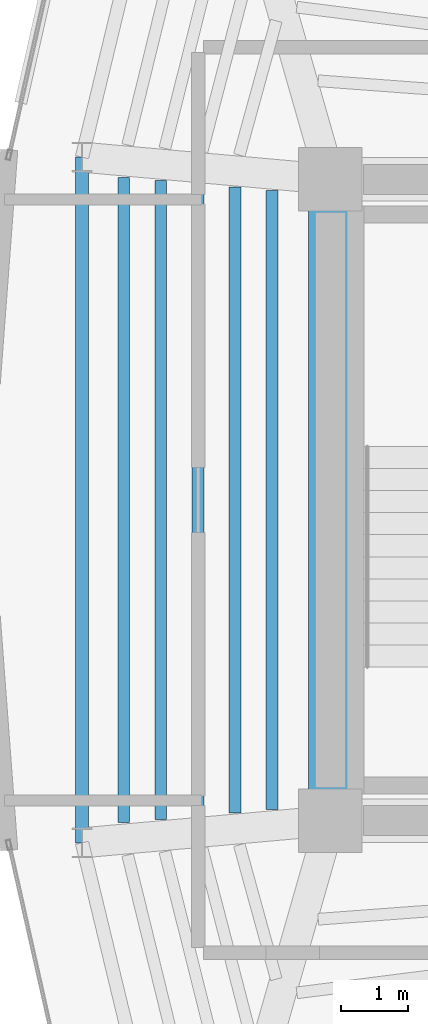
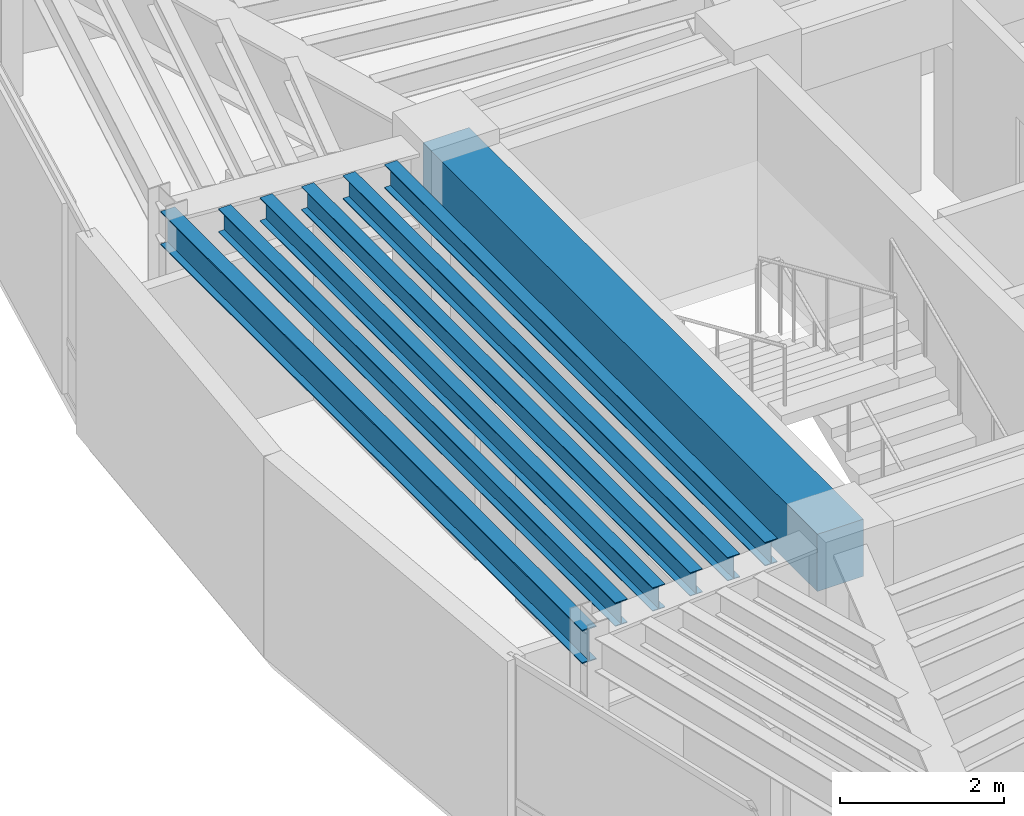
# One storey, part 4 of 14: 7 beams.
"""IFC4 building model written with IfcOpenShell, lengths in metres."""

from ifc_helpers import new_model, si_unit, direction, frame, origin, origin_2d, place, context, subcontext, project, spatial, rectangle, i_section, extrude, material, material_profile, profile_set, type_object, element, save


model = new_model("IFC4")

# Units and contexts
model_context = context("Model", 3, precision=1e-05, world=origin(), true_north=direction((0.0, 1.0)))
body_context = subcontext(model_context, "Body", "Model", "MODEL_VIEW")
ifc_project = project(units=[si_unit("LENGTHUNIT", "METRE"), si_unit("AREAUNIT", "SQUARE_METRE"), si_unit("VOLUMEUNIT", "CUBIC_METRE"), si_unit("PLANEANGLEUNIT", "RADIAN"), si_unit("MASSUNIT", "GRAM", prefix="KILO")], contexts=[model_context])

# Site, building, storey
site_placement = place(None, origin())
site = spatial("IfcSite", under=ifc_project, at=site_placement, CompositionType="ELEMENT")
building_placement = place(site_placement, origin())
building = spatial("IfcBuilding", under=site, at=building_placement, Name="Menara Vayukalpa", CompositionType="ELEMENT")
storey_placement = place(building_placement, frame((0.0, 0.0, 308.820068359375)))
storey = spatial("IfcBuildingStorey", under=building, at=storey_placement, Name="L79", CompositionType="ELEMENT", Elevation=308.820068359375)

# Beams
ifc_material_1 = material(Name="Concrete C60/75", Category="concrete")
ifc_material_profile_1 = material_profile(ifc_material_1, rectangle(XDim=0.64990234375, YDim=0.85009765625, at=origin_2d()), Name="RC 650x850")
ifc_profile_set_1 = profile_set([ifc_material_profile_1], Name="Concrete C60/75")
beam_type_1 = type_object("IfcBeamType", Name="BM-CB1", PredefinedType="BEAM", material=ifc_profile_set_1)
beam_1_placement = place(storey_placement, frame((17.800048828125, 17.199951171875, 2.554931640625), z_axis=(0.0, 1.0, 0.0), x_axis=(-1.0, 0.0, 0.0)))
element("IfcBeam", 1, at=beam_1_placement, inside=storey, type_object=beam_type_1, Name="L79 Core Tie Beam CBR7", PredefinedType="BEAM", context=body_context, shape_type="SweptSolid", body=[
    extrude(rectangle(XDim=0.64990234375, YDim=0.85009765625, at=origin_2d()), origin(), (0.0, 0.0, 1.0), 9.60009765625),
])
ifc_material_2 = material(Name="Steel S355", Category="steel")
ifc_material_profile_2 = material_profile(ifc_material_2, i_section(OverallWidth=0.175048828125, OverallDepth=0.35009765625, WebThickness=0.007080078125, FlangeThickness=0.010986328125, at=origin_2d()), Name="WF 350x175x7x11")
ifc_profile_set_2 = profile_set([ifc_material_profile_2], Name="Steel S355")
beam_type_2 = type_object("IfcBeamType", Name="BM-SJ3", PredefinedType="JOIST", material=ifc_profile_set_2)
beam_2_placement = place(storey_placement, frame((16.926513671875, 26.63330078125, 2.804931640625), z_axis=(0.0, -1.0, 0.0), x_axis=(1.0, 0.0, 0.0)))
element("IfcBeam", 2, at=beam_2_placement, inside=storey, type_object=beam_type_2, Name="L79 Secondary Floor Joist SJ05-1", PredefinedType="JOIST", context=body_context, shape_type="SweptSolid", body=[
    extrude(i_section(OverallWidth=0.175048828125, OverallDepth=0.35009765625, WebThickness=0.007080078125, FlangeThickness=0.010986328125, at=origin_2d()), origin(), (0.0, 0.0, 1.0), 9.2666015625),
])
beam_3_placement = place(storey_placement, frame((16.371337890625, 26.682861328125, 2.804931640625), z_axis=(0.0, -1.0, 0.0), x_axis=(1.0, 0.0, 0.0)))
element("IfcBeam", 3, at=beam_3_placement, inside=storey, type_object=beam_type_2, Name="L79 Secondary Floor Joist SJ05-2", PredefinedType="JOIST", context=body_context, shape_type="SweptSolid", body=[
    extrude(i_section(OverallWidth=0.175048828125, OverallDepth=0.35009765625, WebThickness=0.007080078125, FlangeThickness=0.010986328125, at=origin_2d()), origin(), (0.0, 0.0, 1.0), 9.36572265625),
])
beam_4_placement = place(storey_placement, frame((15.816162109375, 26.732421875, 2.804931640625), z_axis=(0.0, -1.0, 0.0), x_axis=(1.0, 0.0, 0.0)))
element("IfcBeam", 4, at=beam_4_placement, inside=storey, type_object=beam_type_2, Name="L79 Secondary Floor Joist SJ05-3", PredefinedType="JOIST", context=body_context, shape_type="SweptSolid", body=[
    extrude(i_section(OverallWidth=0.175048828125, OverallDepth=0.35009765625, WebThickness=0.007080078125, FlangeThickness=0.010986328125, at=origin_2d()), origin(), (0.0, 0.0, 1.0), 9.46484375),
])
beam_5_placement = place(storey_placement, frame((15.260986328125, 26.7822265625, 2.804931640625), z_axis=(0.0, -1.0, 0.0), x_axis=(1.0, 0.0, 0.0)))
element("IfcBeam", 5, at=beam_5_placement, inside=storey, type_object=beam_type_2, Name="L79 Secondary Floor Joist SJ05-4", PredefinedType="JOIST", context=body_context, shape_type="SweptSolid", body=[
    extrude(i_section(OverallWidth=0.175048828125, OverallDepth=0.35009765625, WebThickness=0.007080078125, FlangeThickness=0.010986328125, at=origin_2d()), origin(), (0.0, 0.0, 1.0), 9.564453125),
])
beam_6_placement = place(storey_placement, frame((14.705810546875, 26.831787109375, 2.804931640625), z_axis=(0.0, -1.0, 0.0), x_axis=(1.0, 0.0, 0.0)))
element("IfcBeam", 6, at=beam_6_placement, inside=storey, type_object=beam_type_2, Name="L79 Secondary Floor Joist SJ05-5", PredefinedType="JOIST", context=body_context, shape_type="SweptSolid", body=[
    extrude(i_section(OverallWidth=0.175048828125, OverallDepth=0.35009765625, WebThickness=0.007080078125, FlangeThickness=0.010986328125, at=origin_2d()), origin(), (0.0, 0.0, 1.0), 9.66357421875),
])
ifc_material_3 = material(Name="Steel S355", Category="steel")
ifc_material_profile_3 = material_profile(ifc_material_3, i_section(OverallWidth=0.199951171875, OverallDepth=0.5, WebThickness=0.010009765625, FlangeThickness=0.01611328125, at=origin_2d()), Name="WF 500x200x10x16")
ifc_profile_set_3 = profile_set([ifc_material_profile_3], Name="Steel S355")
beam_type_3 = type_object("IfcBeamType", Name="BM-SP3", PredefinedType="SPANDREL", material=ifc_profile_set_3)
beam_7_placement = place(storey_placement, frame((14.081298828125, 27.1328125, 2.72998046875), z_axis=(0.0, -1.0, 0.0), x_axis=(1.0, 0.0, 0.0)))
element("IfcBeam", 7, at=beam_7_placement, inside=storey, type_object=beam_type_3, Name="L79 Perimeter Spandrel Beam SP05", PredefinedType="SPANDREL", context=body_context, shape_type="SweptSolid", body=[
    extrude(i_section(OverallWidth=0.199951171875, OverallDepth=0.5, WebThickness=0.010009765625, FlangeThickness=0.01611328125, at=origin_2d()), origin(), (0.0, 0.0, 1.0), 10.265625),
])

save(model, "model.ifc")
